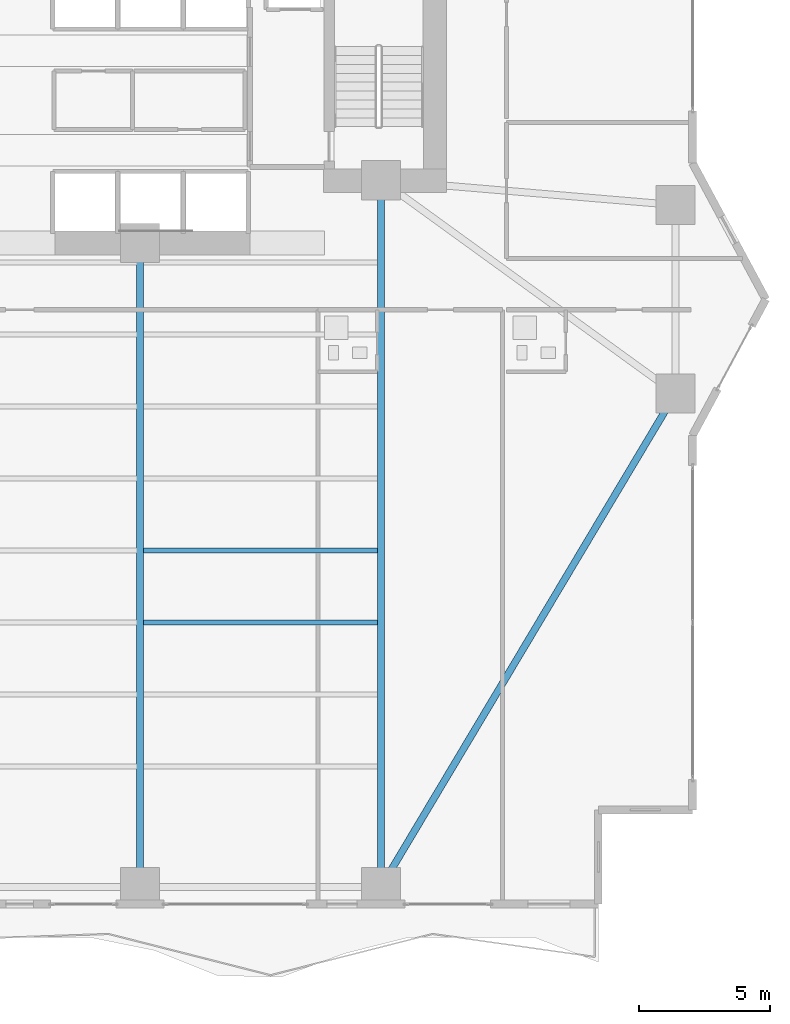
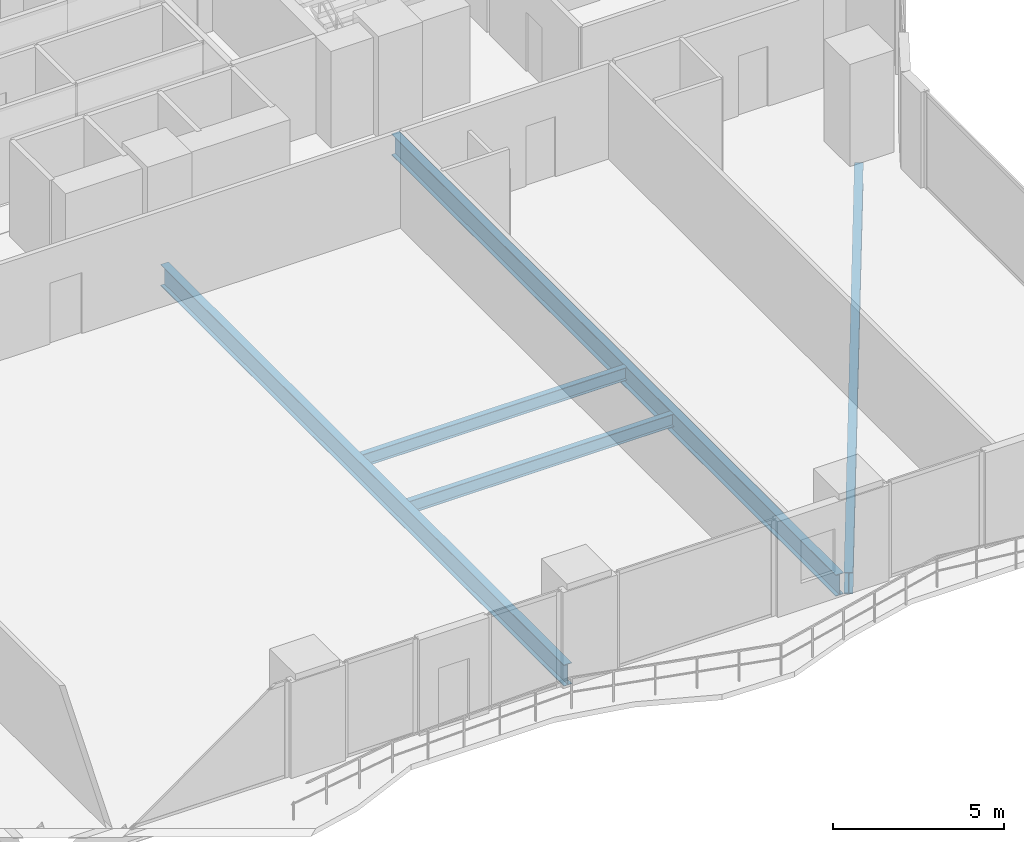
# One storey, part 9 of 28: 5 beams.
"""IFC4 building model written with IfcOpenShell, lengths in metres."""

from ifc_helpers import new_model, si_unit, direction, frame, origin, origin_2d, place, context, subcontext, project, spatial, i_section, extrude, material, material_profile, profile_set, type_object, element, save


model = new_model("IFC4")

# Units and contexts
model_context = context("Model", 3, precision=1e-05, world=origin(), true_north=direction((0.0, 1.0)))
body_context = subcontext(model_context, "Body", "Model", "MODEL_VIEW")
ifc_project = project(units=[si_unit("LENGTHUNIT", "METRE"), si_unit("AREAUNIT", "SQUARE_METRE"), si_unit("VOLUMEUNIT", "CUBIC_METRE"), si_unit("PLANEANGLEUNIT", "RADIAN"), si_unit("MASSUNIT", "GRAM", prefix="KILO")], contexts=[model_context])

# Site, building, storey
site_placement = place(None, origin())
site = spatial("IfcSite", under=ifc_project, at=site_placement, CompositionType="ELEMENT")
building_placement = place(site_placement, origin())
building = spatial("IfcBuilding", under=site, at=building_placement, Name="Zuhayl Quay Hotel", CompositionType="ELEMENT")
storey_placement = place(building_placement, frame((0.0, 0.0, 75.050048828125)))
storey = spatial("IfcBuildingStorey", under=building, at=storey_placement, Name="L18", CompositionType="ELEMENT", Elevation=75.050048828125)

# Beams
ifc_material = material(Name="Steel ASTM A992 Grade 50", Category="steel")
ifc_material_profile_1 = material_profile(ifc_material, i_section(OverallWidth=0.26708984375, OverallDepth=0.761962890625, WebThickness=0.014404296875, FlangeThickness=0.021484375, at=origin_2d()), Name="W30X116")
ifc_profile_set_1 = profile_set([ifc_material_profile_1], Name="Steel ASTM A992 Grade 50")
beam_type_1 = type_object("IfcBeamType", Name="BM_B1_W30X116", PredefinedType="BEAM", material=ifc_profile_set_1)
beam_1_placement = place(storey_placement, frame((14.05615234375, -22.020751953125, -0.60107421875), z_axis=(0.512482593247, 0.85869761361, 0.0), x_axis=(-0.85869761361, 0.512482593247, 0.0)))
element("IfcBeam", 1, at=beam_1_placement, inside=storey, type_object=beam_type_1, Name="L18 Floor Beam RG_L18_04", PredefinedType="BEAM", context=body_context, shape_type="SweptSolid", body=[
    extrude(i_section(OverallWidth=0.26708984375, OverallDepth=0.761962890625, WebThickness=0.014404296875, FlangeThickness=0.021484375, at=origin_2d()), origin(), (0.0, 0.0, 1.0), 20.9521484375),
])
beam_2_placement = place(storey_placement, frame((4.60009765625, -21.949951171875, -0.60107421875), z_axis=(0.0, 1.0, 0.0), x_axis=(-1.0, 0.0, 0.0)))
element("IfcBeam", 2, at=beam_2_placement, inside=storey, type_object=beam_type_1, Name="L18 Floor Beam FG_S_L18_3", PredefinedType="BEAM", context=body_context, shape_type="SweptSolid", body=[
    extrude(i_section(OverallWidth=0.26708984375, OverallDepth=0.761962890625, WebThickness=0.014404296875, FlangeThickness=0.021484375, at=origin_2d()), origin(), (0.0, 0.0, 1.0), 23.64990234375),
])
beam_3_placement = place(storey_placement, frame((13.800048828125, -21.949951171875, -0.60107421875), z_axis=(0.0, 1.0, 0.0), x_axis=(-1.0, 0.0, 0.0)))
element("IfcBeam", 3, at=beam_3_placement, inside=storey, type_object=beam_type_1, Name="L18 Floor Beam FG_S_L18_4", PredefinedType="BEAM", context=body_context, shape_type="SweptSolid", body=[
    extrude(i_section(OverallWidth=0.26708984375, OverallDepth=0.761962890625, WebThickness=0.014404296875, FlangeThickness=0.021484375, at=origin_2d()), origin(), (0.0, 0.0, 1.0), 26.050048828125),
])
ifc_material_profile_2 = material_profile(ifc_material, i_section(OverallWidth=0.18994140625, OverallDepth=0.45703125, WebThickness=0.009033203125, FlangeThickness=0.014404296875, at=origin_2d()), Name="W18X50")
ifc_profile_set_2 = profile_set([ifc_material_profile_2], Name="Steel ASTM A992 Grade 50")
beam_type_2 = type_object("IfcBeamType", Name="BM_J2_W18X50", PredefinedType="JOIST", material=ifc_profile_set_2)
for number, where, z_axis, x_axis, name in (
    (4, (4.7255859375, -12.35009765625, -0.448486328125), (1.0, 0.0, 0.0), (0.0, 1.0, 0.0), "L18 Floor Beam FJ_L18_5_3"),
    (5, (4.7255859375, -9.60009765625, -0.448486328125), (1.0, 0.0, 0.0), (0.0, 1.0, 0.0), "L18 Floor Beam FJ_L18_6_3"),
):
    element("IfcBeam", number, at=place(storey_placement, frame(where, z_axis=z_axis, x_axis=x_axis)), inside=storey, type_object=beam_type_2, Name=name, PredefinedType="JOIST", context=body_context, shape_type="SweptSolid", body=[
        extrude(i_section(OverallWidth=0.18994140625, OverallDepth=0.45703125, WebThickness=0.009033203125, FlangeThickness=0.014404296875, at=origin_2d()), origin(), (0.0, 0.0, 1.0), 8.948974609375),
    ])

save(model, "model.ifc")
